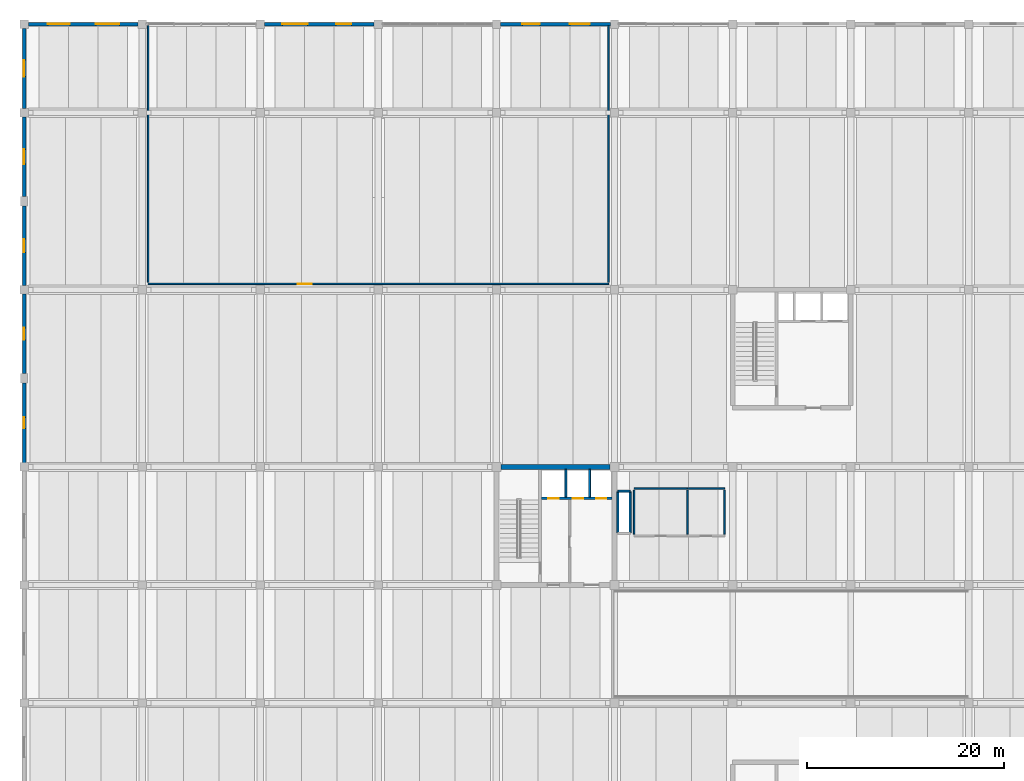
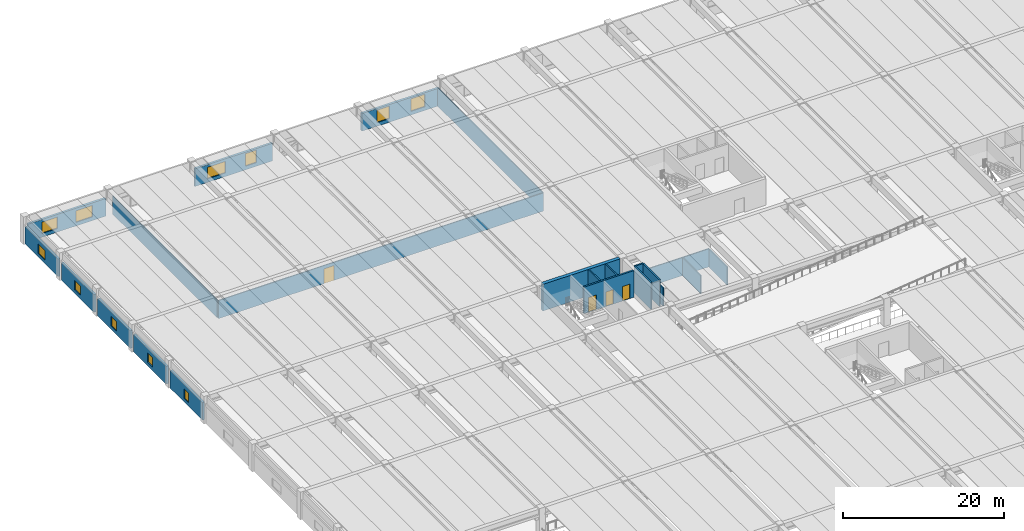
# One storey, part 37 of 50: 23 walls, 11 windows, 4 doors, 15 openings.
"""IFC4 building model written with IfcOpenShell, lengths in metres."""

from ifc_helpers import new_model, si_unit, direction, frame, frame_2d, origin, place, context, subcontext, project, spatial, rectangle, extrude, material, layer, layer_set, type_object, element, fill, save


model = new_model("IFC4")

# Units and contexts
model_context = context("Model", 3, precision=1e-05, world=origin(), true_north=direction((0.0, 1.0)))
body_context = subcontext(model_context, "Body", "Model", "MODEL_VIEW")
ifc_project = project(units=[si_unit("LENGTHUNIT", "METRE"), si_unit("AREAUNIT", "SQUARE_METRE"), si_unit("VOLUMEUNIT", "CUBIC_METRE"), si_unit("PLANEANGLEUNIT", "RADIAN"), si_unit("MASSUNIT", "GRAM", prefix="KILO")], contexts=[model_context])

# Site, building, storey
site_placement = place(None, origin())
site = spatial("IfcSite", under=ifc_project, at=site_placement, CompositionType="ELEMENT")
building_placement = place(site_placement, origin())
building = spatial("IfcBuilding", under=site, at=building_placement, Name="Girod Span Mobility Hub", CompositionType="ELEMENT")
storey_placement = place(building_placement, frame((0.0, 0.0, 5.39990234375)))
storey = spatial("IfcBuildingStorey", under=building, at=storey_placement, Name="L01", CompositionType="ELEMENT", Elevation=5.39990234375)

# Wall
ifc_material_1 = material(Name="Concrete C40/50", Category="concrete")
ifc_layer_1 = layer(ifc_material_1, 0.5)
ifc_layer_set_1 = layer_set([ifc_layer_1], Name="Concrete C40/50")
wall_type_1 = type_object("IfcWallType", Name="W-CW-500", PredefinedType="SHEAR", material=ifc_layer_set_1)
wall_1_placement = place(storey_placement, frame((48.447021484375, 69.0, 0.0), z_axis=(0.0, 0.0, 1.0), x_axis=(1.0, 0.0, 0.0)))
element("IfcWall", 1, at=wall_1_placement, inside=storey, type_object=wall_type_1, Name="Core C1 Shear Wall N L01", PredefinedType="SHEAR", context=body_context, shape_type="SweptSolid", body=[
    extrude(rectangle(XDim=11.10595703125, YDim=0.5, at=frame_2d((5.552978515625, 0.0))), origin(), (0.0, 0.0, 1.0), 4.043212890625),
])

# Wall, openings, windows
ifc_material_2 = material(Name="Precast Architectural Concrete C40/50", Category="concrete")
ifc_layer_2 = layer(ifc_material_2, 0.320068359375)
ifc_layer_set_2 = layer_set([ifc_layer_2], Name="Precast Architectural Concrete C40/50")
wall_type_2 = type_object("IfcWallType", Name="W-EXT-320", PredefinedType="SOLIDWALL", material=ifc_layer_set_2)
wall_2_placement = place(storey_placement, frame((0.423095703125, 114.0, 0.0), z_axis=(0.0, 0.0, 1.0), x_axis=(1.0, 0.0, 0.0)))
wall_2 = element("IfcWall", 2, at=wall_2_placement, inside=storey, type_object=wall_type_2, Name="Exterior Insulated Precast Wall N-1 L01", PredefinedType="SOLIDWALL", context=body_context, shape_type="SweptSolid", body=[
    extrude(rectangle(XDim=11.15380859375, YDim=0.320068359375, at=frame_2d((5.576904296875, 0.0))), origin(), (0.0, 0.0, 1.0), 2.690185546875),
])
opening_1_placement = place(wall_2_placement, frame((1.989990234375, 0.0, 0.550048828125)))
opening_1 = element("IfcOpeningElement", 3, at=opening_1_placement, cuts=wall_2, Name="Opening W-L01-N00A", PredefinedType="OPENING", context=body_context, shape_type="SweptSolid", body=[
    extrude(rectangle(XDim=2.219970703125, YDim=1.739990234375, at=frame_2d((1.10986328125, 0.8701171875))), frame((0.0, 0.175048828125, 0.0), z_axis=(0.0, -1.0, 0.0), x_axis=(1.0, 0.0, 0.0)), (0.0, 0.0, 1.0), 0.35009765625),
])
opening_2_placement = place(wall_2_placement, frame((6.85400390625, 0.0, 0.550048828125)))
opening_2 = element("IfcOpeningElement", 4, at=opening_2_placement, cuts=wall_2, Name="Opening W-L01-N00B", PredefinedType="OPENING", context=body_context, shape_type="SweptSolid", body=[
    extrude(rectangle(XDim=2.39990234375, YDim=1.739990234375, at=frame_2d((1.199951171875, 0.8701171875))), frame((0.0, 0.175048828125, 0.0), z_axis=(0.0, -1.0, 0.0), x_axis=(1.0, 0.0, 0.0)), (0.0, 0.0, 1.0), 0.35009765625),
])
ifc_material_3 = material(Name="Double Low-E Insulated Glazing", Category="glass")
window_type_1 = type_object("IfcWindowType", Name="WN-36", PartitioningType="DOUBLE_PANEL_VERTICAL", PredefinedType="WINDOW", material=ifc_material_3)
window_1_placement = place(opening_1_placement, origin())
window_1 = element("IfcWindow", 5, at=window_1_placement, inside=storey, type_object=window_type_1, Name="Gallery Window WN-36", OverallHeight=1.739990234375, OverallWidth=2.219970703125, PartitioningType="DOUBLE_PANEL_VERTICAL", PredefinedType="WINDOW", context=body_context, shape_type="SweptSolid", body=[
    extrude(rectangle(XDim=2.219970703125, YDim=1.739990234375, at=frame_2d((1.10986328125, 0.8701171875))), frame((0.0, 0.030029296875, 0.0), z_axis=(0.0, -1.0, 0.0), x_axis=(1.0, 0.0, 0.0)), (0.0, 0.0, 1.0), 0.06005859375),
])
fill(opening_1, window_1)
ifc_material_4 = material(Name="Double Low-E Insulated Glazing", Category="glass")
window_type_2 = type_object("IfcWindowType", Name="WN-37", PartitioningType="DOUBLE_PANEL_VERTICAL", PredefinedType="WINDOW", material=ifc_material_4)
window_2_placement = place(opening_2_placement, origin())
window_2 = element("IfcWindow", 6, at=window_2_placement, inside=storey, type_object=window_type_2, Name="Gallery Window WN-37", OverallHeight=1.739990234375, OverallWidth=2.39990234375, PartitioningType="DOUBLE_PANEL_VERTICAL", PredefinedType="WINDOW", context=body_context, shape_type="SweptSolid", body=[
    extrude(rectangle(XDim=2.39990234375, YDim=1.739990234375, at=frame_2d((1.199951171875, 0.8701171875))), frame((0.0, 0.030029296875, 0.0), z_axis=(0.0, -1.0, 0.0), x_axis=(1.0, 0.0, 0.0)), (0.0, 0.0, 1.0), 0.06005859375),
])
fill(opening_2, window_2)

wall_3_placement = place(storey_placement, frame((24.423095703125, 114.0, 0.0), z_axis=(0.0, 0.0, 1.0), x_axis=(1.0, 0.0, 0.0)))
wall_3 = element("IfcWall", 7, at=wall_3_placement, inside=storey, type_object=wall_type_2, Name="Exterior Insulated Precast Wall N-3 L01", PredefinedType="SOLIDWALL", context=body_context, shape_type="SweptSolid", body=[
    extrude(rectangle(XDim=11.15380859375, YDim=0.320068359375, at=frame_2d((5.576904296875, 0.0))), origin(), (0.0, 0.0, 1.0), 2.690185546875),
])
opening_3_placement = place(wall_3_placement, frame((1.81005859375, 0.0, 0.550048828125)))
opening_3 = element("IfcOpeningElement", 8, at=opening_3_placement, cuts=wall_3, Name="Opening W-L01-N02A", PredefinedType="OPENING", context=body_context, shape_type="SweptSolid", body=[
    extrude(rectangle(XDim=2.580078125, YDim=1.739990234375, at=frame_2d((1.2900390625, 0.8701171875))), frame((0.0, 0.175048828125, 0.0), z_axis=(0.0, -1.0, 0.0), x_axis=(1.0, 0.0, 0.0)), (0.0, 0.0, 1.0), 0.35009765625),
])
opening_4_placement = place(wall_3_placement, frame((7.27392578125, 0.0, 0.550048828125)))
opening_4 = element("IfcOpeningElement", 9, at=opening_4_placement, cuts=wall_3, Name="Opening W-L01-N02B", PredefinedType="OPENING", context=body_context, shape_type="SweptSolid", body=[
    extrude(rectangle(XDim=1.56005859375, YDim=1.89990234375, at=frame_2d((0.780029296875, 0.949951171875))), frame((0.0, 0.175048828125, 0.0), z_axis=(0.0, -1.0, 0.0), x_axis=(1.0, 0.0, 0.0)), (0.0, 0.0, 1.0), 0.35009765625),
])
ifc_material_5 = material(Name="Double Low-E Insulated Glazing", Category="glass")
window_type_3 = type_object("IfcWindowType", Name="WN-38", PartitioningType="DOUBLE_PANEL_VERTICAL", PredefinedType="WINDOW", material=ifc_material_5)
window_3_placement = place(opening_3_placement, origin())
window_3 = element("IfcWindow", 10, at=window_3_placement, inside=storey, type_object=window_type_3, Name="Gallery Window WN-38", OverallHeight=1.739990234375, OverallWidth=2.580078125, PartitioningType="DOUBLE_PANEL_VERTICAL", PredefinedType="WINDOW", context=body_context, shape_type="SweptSolid", body=[
    extrude(rectangle(XDim=2.580078125, YDim=1.739990234375, at=frame_2d((1.2900390625, 0.8701171875))), frame((0.0, 0.030029296875, 0.0), z_axis=(0.0, -1.0, 0.0), x_axis=(1.0, 0.0, 0.0)), (0.0, 0.0, 1.0), 0.06005859375),
])
fill(opening_3, window_3)
ifc_material_6 = material(Name="Double Low-E Insulated Glazing", Category="glass")
window_type_4 = type_object("IfcWindowType", Name="WN-39", PartitioningType="SINGLE_PANEL", PredefinedType="WINDOW", material=ifc_material_6)
window_4_placement = place(opening_4_placement, origin())
window_4 = element("IfcWindow", 11, at=window_4_placement, inside=storey, type_object=window_type_4, Name="Gallery Window WN-39", OverallHeight=1.89990234375, OverallWidth=1.56005859375, PartitioningType="SINGLE_PANEL", PredefinedType="WINDOW", context=body_context, shape_type="SweptSolid", body=[
    extrude(rectangle(XDim=1.56005859375, YDim=1.89990234375, at=frame_2d((0.780029296875, 0.949951171875))), frame((0.0, 0.030029296875, 0.0), z_axis=(0.0, -1.0, 0.0), x_axis=(1.0, 0.0, 0.0)), (0.0, 0.0, 1.0), 0.06005859375),
])
fill(opening_4, window_4)

wall_4_placement = place(storey_placement, frame((48.423095703125, 114.0, 0.0), z_axis=(0.0, 0.0, 1.0), x_axis=(1.0, 0.0, 0.0)))
wall_4 = element("IfcWall", 12, at=wall_4_placement, inside=storey, type_object=wall_type_2, Name="Exterior Insulated Precast Wall N-5 L01", PredefinedType="SOLIDWALL", context=body_context, shape_type="SweptSolid", body=[
    extrude(rectangle(XDim=11.15380859375, YDim=0.320068359375, at=frame_2d((5.576904296875, 0.0))), origin(), (0.0, 0.0, 1.0), 2.690185546875),
])
opening_5_placement = place(wall_4_placement, frame((2.2099609375, 0.0, 0.550048828125)))
opening_5 = element("IfcOpeningElement", 13, at=opening_5_placement, cuts=wall_4, Name="Opening W-L01-N04A", PredefinedType="OPENING", context=body_context, shape_type="SweptSolid", body=[
    extrude(rectangle(XDim=1.780029296875, YDim=1.89990234375, at=frame_2d((0.89013671875, 0.949951171875))), frame((0.0, 0.175048828125, 0.0), z_axis=(0.0, -1.0, 0.0), x_axis=(1.0, 0.0, 0.0)), (0.0, 0.0, 1.0), 0.35009765625),
])
opening_6_placement = place(wall_4_placement, frame((7.0439453125, 0.0, 0.550048828125)))
opening_6 = element("IfcOpeningElement", 14, at=opening_6_placement, cuts=wall_4, Name="Opening W-L01-N04B", PredefinedType="OPENING", context=body_context, shape_type="SweptSolid", body=[
    extrude(rectangle(XDim=2.02001953125, YDim=1.89990234375, at=frame_2d((1.010009765625, 0.949951171875))), frame((0.0, 0.175048828125, 0.0), z_axis=(0.0, -1.0, 0.0), x_axis=(1.0, 0.0, 0.0)), (0.0, 0.0, 1.0), 0.35009765625),
])
ifc_material_7 = material(Name="Double Low-E Insulated Glazing", Category="glass")
window_type_5 = type_object("IfcWindowType", Name="WN-40", PartitioningType="SINGLE_PANEL", PredefinedType="WINDOW", material=ifc_material_7)
window_5_placement = place(opening_5_placement, origin())
window_5 = element("IfcWindow", 15, at=window_5_placement, inside=storey, type_object=window_type_5, Name="Gallery Window WN-40", OverallHeight=1.89990234375, OverallWidth=1.780029296875, PartitioningType="SINGLE_PANEL", PredefinedType="WINDOW", context=body_context, shape_type="SweptSolid", body=[
    extrude(rectangle(XDim=1.780029296875, YDim=1.89990234375, at=frame_2d((0.89013671875, 0.949951171875))), frame((0.0, 0.030029296875, 0.0), z_axis=(0.0, -1.0, 0.0), x_axis=(1.0, 0.0, 0.0)), (0.0, 0.0, 1.0), 0.06005859375),
])
fill(opening_5, window_5)
ifc_material_8 = material(Name="Double Low-E Insulated Glazing", Category="glass")
window_type_6 = type_object("IfcWindowType", Name="WN-41", PartitioningType="DOUBLE_PANEL_VERTICAL", PredefinedType="WINDOW", material=ifc_material_8)
window_6_placement = place(opening_6_placement, origin())
window_6 = element("IfcWindow", 16, at=window_6_placement, inside=storey, type_object=window_type_6, Name="Gallery Window WN-41", OverallHeight=1.89990234375, OverallWidth=2.02001953125, PartitioningType="DOUBLE_PANEL_VERTICAL", PredefinedType="WINDOW", context=body_context, shape_type="SweptSolid", body=[
    extrude(rectangle(XDim=2.02001953125, YDim=1.89990234375, at=frame_2d((1.010009765625, 0.949951171875))), frame((0.0, 0.030029296875, 0.0), z_axis=(0.0, -1.0, 0.0), x_axis=(1.0, 0.0, 0.0)), (0.0, 0.0, 1.0), 0.06005859375),
])
fill(opening_6, window_6)

# Wall, opening, window
wall_5_placement = place(storey_placement, frame((0.0, 69.423095703125, 0.0), z_axis=(0.0, 0.0, 1.0), x_axis=(0.0, 1.0, 0.0)))
wall_5 = element("IfcWall", 17, at=wall_5_placement, inside=storey, type_object=wall_type_2, Name="Side Exterior Wall W-F-1 L01", PredefinedType="SOLIDWALL", context=body_context, shape_type="SweptSolid", body=[
    extrude(rectangle(XDim=8.10400390625, YDim=0.320068359375, at=frame_2d((4.052001953125, 0.0))), origin(), (0.0, 0.0, 1.0), 2.690185546875),
])
opening_7_placement = place(wall_5_placement, frame((3.501953125, 0.0, 0.550048828125)))
opening_7 = element("IfcOpeningElement", 18, at=opening_7_placement, cuts=wall_5, Name="Opening W-L01-W51", PredefinedType="OPENING", context=body_context, shape_type="SweptSolid", body=[
    extrude(rectangle(XDim=1.10009765625, YDim=1.419921875, at=frame_2d((0.550048828125, 0.7099609375))), frame((0.0, 0.175048828125, 0.0), z_axis=(0.0, -1.0, 0.0), x_axis=(1.0, 0.0, 0.0)), (0.0, 0.0, 1.0), 0.35009765625),
])
ifc_material_9 = material(Name="Double Low-E Insulated Glazing", Category="glass")
window_type_7 = type_object("IfcWindowType", Name="WN-11", PartitioningType="SINGLE_PANEL", PredefinedType="WINDOW", material=ifc_material_9)
window_7_placement = place(opening_7_placement, origin())
window_7 = element("IfcWindow", 19, at=window_7_placement, inside=storey, type_object=window_type_7, Name="Side Facade Window WN-11", OverallHeight=1.419921875, OverallWidth=1.10009765625, PartitioningType="SINGLE_PANEL", PredefinedType="WINDOW", context=body_context, shape_type="SweptSolid", body=[
    extrude(rectangle(XDim=1.10009765625, YDim=1.419921875, at=frame_2d((0.550048828125, 0.7099609375))), frame((0.0, 0.030029296875, 0.0), z_axis=(0.0, -1.0, 0.0), x_axis=(1.0, 0.0, 0.0)), (0.0, 0.0, 1.0), 0.06005859375),
])
fill(opening_7, window_7)

wall_6_placement = place(storey_placement, frame((0.0, 78.472900390625, 0.0), z_axis=(0.0, 0.0, 1.0), x_axis=(0.0, 1.0, 0.0)))
wall_6 = element("IfcWall", 20, at=wall_6_placement, inside=storey, type_object=wall_type_2, Name="Side Exterior Wall W-F-2 L01", PredefinedType="SOLIDWALL", context=body_context, shape_type="SweptSolid", body=[
    extrude(rectangle(XDim=8.10400390625, YDim=0.320068359375, at=frame_2d((4.052001953125, 0.0))), origin(), (0.0, 0.0, 1.0), 2.690185546875),
])
opening_8_placement = place(wall_6_placement, frame((3.44189453125, 0.0, 0.550048828125)))
opening_8 = element("IfcOpeningElement", 21, at=opening_8_placement, cuts=wall_6, Name="Opening W-L01-W52", PredefinedType="OPENING", context=body_context, shape_type="SweptSolid", body=[
    extrude(rectangle(XDim=1.219970703125, YDim=1.419921875, at=frame_2d((0.60986328125, 0.7099609375))), frame((0.0, 0.175048828125, 0.0), z_axis=(0.0, -1.0, 0.0), x_axis=(1.0, 0.0, 0.0)), (0.0, 0.0, 1.0), 0.35009765625),
])
ifc_material_10 = material(Name="Double Low-E Insulated Glazing", Category="glass")
window_type_8 = type_object("IfcWindowType", Name="WN-12", PartitioningType="SINGLE_PANEL", PredefinedType="WINDOW", material=ifc_material_10)
window_8_placement = place(opening_8_placement, origin())
window_8 = element("IfcWindow", 22, at=window_8_placement, inside=storey, type_object=window_type_8, Name="Side Facade Window WN-12", OverallHeight=1.419921875, OverallWidth=1.219970703125, PartitioningType="SINGLE_PANEL", PredefinedType="WINDOW", context=body_context, shape_type="SweptSolid", body=[
    extrude(rectangle(XDim=1.219970703125, YDim=1.419921875, at=frame_2d((0.60986328125, 0.7099609375))), frame((0.0, 0.030029296875, 0.0), z_axis=(0.0, -1.0, 0.0), x_axis=(1.0, 0.0, 0.0)), (0.0, 0.0, 1.0), 0.06005859375),
])
fill(opening_8, window_8)

wall_7_placement = place(storey_placement, frame((0.0, 87.423095703125, 0.0), z_axis=(0.0, 0.0, 1.0), x_axis=(0.0, 1.0, 0.0)))
wall_7 = element("IfcWall", 23, at=wall_7_placement, inside=storey, type_object=wall_type_2, Name="Side Exterior Wall W-G-1 L01", PredefinedType="SOLIDWALL", context=body_context, shape_type="SweptSolid", body=[
    extrude(rectangle(XDim=8.10400390625, YDim=0.320068359375, at=frame_2d((4.052001953125, 0.0))), origin(), (0.0, 0.0, 1.0), 2.690185546875),
])
opening_9_placement = place(wall_7_placement, frame((3.3720703125, 0.0, 0.550048828125)))
opening_9 = element("IfcOpeningElement", 24, at=opening_9_placement, cuts=wall_7, Name="Opening W-L01-W61", PredefinedType="OPENING", context=body_context, shape_type="SweptSolid", body=[
    extrude(rectangle(XDim=1.360107421875, YDim=1.419921875, at=frame_2d((0.68017578125, 0.7099609375))), frame((0.0, 0.175048828125, 0.0), z_axis=(0.0, -1.0, 0.0), x_axis=(1.0, 0.0, 0.0)), (0.0, 0.0, 1.0), 0.35009765625),
])
ifc_material_11 = material(Name="Double Low-E Insulated Glazing", Category="glass")
window_type_9 = type_object("IfcWindowType", Name="WN-13", PartitioningType="SINGLE_PANEL", PredefinedType="WINDOW", material=ifc_material_11)
window_9_placement = place(opening_9_placement, origin())
window_9 = element("IfcWindow", 25, at=window_9_placement, inside=storey, type_object=window_type_9, Name="Side Facade Window WN-13", OverallHeight=1.419921875, OverallWidth=1.360107421875, PartitioningType="SINGLE_PANEL", PredefinedType="WINDOW", context=body_context, shape_type="SweptSolid", body=[
    extrude(rectangle(XDim=1.360107421875, YDim=1.419921875, at=frame_2d((0.68017578125, 0.7099609375))), frame((0.0, 0.030029296875, 0.0), z_axis=(0.0, -1.0, 0.0), x_axis=(1.0, 0.0, 0.0)), (0.0, 0.0, 1.0), 0.06005859375),
])
fill(opening_9, window_9)

wall_8_placement = place(storey_placement, frame((0.0, 96.472900390625, 0.0), z_axis=(0.0, 0.0, 1.0), x_axis=(0.0, 1.0, 0.0)))
wall_8 = element("IfcWall", 26, at=wall_8_placement, inside=storey, type_object=wall_type_2, Name="Side Exterior Wall W-G-2 L01", PredefinedType="SOLIDWALL", context=body_context, shape_type="SweptSolid", body=[
    extrude(rectangle(XDim=8.10400390625, YDim=0.320068359375, at=frame_2d((4.052001953125, 0.0))), origin(), (0.0, 0.0, 1.0), 2.690185546875),
])
opening_10_placement = place(wall_8_placement, frame((3.2919921875, 0.0, 0.550048828125)))
opening_10 = element("IfcOpeningElement", 27, at=opening_10_placement, cuts=wall_8, Name="Opening W-L01-W62", PredefinedType="OPENING", context=body_context, shape_type="SweptSolid", body=[
    extrude(rectangle(XDim=1.52001953125, YDim=1.419921875, at=frame_2d((0.760009765625, 0.7099609375))), frame((0.0, 0.175048828125, 0.0), z_axis=(0.0, -1.0, 0.0), x_axis=(1.0, 0.0, 0.0)), (0.0, 0.0, 1.0), 0.35009765625),
])
ifc_material_12 = material(Name="Double Low-E Insulated Glazing", Category="glass")
window_type_10 = type_object("IfcWindowType", Name="WN-14", PartitioningType="SINGLE_PANEL", PredefinedType="WINDOW", material=ifc_material_12)
window_10_placement = place(opening_10_placement, origin())
window_10 = element("IfcWindow", 28, at=window_10_placement, inside=storey, type_object=window_type_10, Name="Side Facade Window WN-14", OverallHeight=1.419921875, OverallWidth=1.52001953125, PartitioningType="SINGLE_PANEL", PredefinedType="WINDOW", context=body_context, shape_type="SweptSolid", body=[
    extrude(rectangle(XDim=1.52001953125, YDim=1.419921875, at=frame_2d((0.760009765625, 0.7099609375))), frame((0.0, 0.030029296875, 0.0), z_axis=(0.0, -1.0, 0.0), x_axis=(1.0, 0.0, 0.0)), (0.0, 0.0, 1.0), 0.06005859375),
])
fill(opening_10, window_10)

wall_9_placement = place(storey_placement, frame((0.0, 105.423095703125, 0.0), z_axis=(0.0, 0.0, 1.0), x_axis=(0.0, 1.0, 0.0)))
wall_9 = element("IfcWall", 29, at=wall_9_placement, inside=storey, type_object=wall_type_2, Name="Side Exterior Wall W-H-1 L01", PredefinedType="SOLIDWALL", context=body_context, shape_type="SweptSolid", body=[
    extrude(rectangle(XDim=8.15380859375, YDim=0.320068359375, at=frame_2d((4.076904296875, 0.0))), origin(), (0.0, 0.0, 1.0), 2.690185546875),
])
opening_11_placement = place(wall_9_placement, frame((3.237060546875, 0.0, 0.550048828125)))
opening_11 = element("IfcOpeningElement", 30, at=opening_11_placement, cuts=wall_9, Name="Opening W-L01-W71", PredefinedType="OPENING", context=body_context, shape_type="SweptSolid", body=[
    extrude(rectangle(XDim=1.679931640625, YDim=1.419921875, at=frame_2d((0.83984375, 0.7099609375))), frame((0.0, 0.175048828125, 0.0), z_axis=(0.0, -1.0, 0.0), x_axis=(1.0, 0.0, 0.0)), (0.0, 0.0, 1.0), 0.35009765625),
])
ifc_material_13 = material(Name="Double Low-E Insulated Glazing", Category="glass")
window_type_11 = type_object("IfcWindowType", Name="WN-15", PartitioningType="SINGLE_PANEL", PredefinedType="WINDOW", material=ifc_material_13)
window_11_placement = place(opening_11_placement, origin())
window_11 = element("IfcWindow", 31, at=window_11_placement, inside=storey, type_object=window_type_11, Name="Side Facade Window WN-15", OverallHeight=1.419921875, OverallWidth=1.679931640625, PartitioningType="SINGLE_PANEL", PredefinedType="WINDOW", context=body_context, shape_type="SweptSolid", body=[
    extrude(rectangle(XDim=1.679931640625, YDim=1.419921875, at=frame_2d((0.83984375, 0.7099609375))), frame((0.0, 0.030029296875, 0.0), z_axis=(0.0, -1.0, 0.0), x_axis=(1.0, 0.0, 0.0)), (0.0, 0.0, 1.0), 0.06005859375),
])
fill(opening_11, window_11)

# Walls
ifc_material_14 = material(Name="Fire-Rated Gypsum Board on Metal Studs", Category="gypsum")
ifc_layer_3 = layer(ifc_material_14, 0.155029296875)
ifc_layer_set_3 = layer_set([ifc_layer_3], Name="Fire-Rated Gypsum Board on Metal Studs")
wall_type_3 = type_object("IfcWallType", Name="W-PLB-155", PredefinedType="PLUMBINGWALL", material=ifc_layer_set_3)
wall_10_placement = place(storey_placement, frame((62.0, 66.800048828125, 0.0), z_axis=(0.0, 0.0, 1.0), x_axis=(1.0, 0.0, 0.0)))
element("IfcWall", 32, at=wall_10_placement, inside=storey, type_object=wall_type_3, Name="Restroom L01 Partition N", PredefinedType="PLUMBINGWALL", context=body_context, shape_type="SweptSolid", body=[
    extrude(rectangle(XDim=5.39990234375, YDim=0.155029296875, at=frame_2d((2.699951171875, 0.0))), origin(), (0.0, 0.0, 1.0), 2.75),
])
for number, where, z_axis, x_axis, name in (
    (33, (62.0, 62.159912109375, 0.0), (0.0, 0.0, 1.0), (0.0, 1.0, 0.0), "Restroom L01 Partition W"),
    (34, (67.39990234375, 62.159912109375, 0.0), (0.0, 0.0, 1.0), (0.0, 1.0, 0.0), "Restroom L01 Partition E"),
):
    element("IfcWall", number, at=place(storey_placement, frame(where, z_axis=z_axis, x_axis=x_axis)), inside=storey, type_object=wall_type_3, Name=name, PredefinedType="PLUMBINGWALL", context=body_context, shape_type="SweptSolid", body=[
        extrude(rectangle(XDim=4.47998046875, YDim=0.155029296875, at=frame_2d((2.239990234375, 0.0))), origin(), (0.0, 0.0, 1.0), 2.75),
    ])
wall_11_placement = place(storey_placement, frame((67.39990234375, 66.800048828125, 0.0), z_axis=(0.0, 0.0, 1.0), x_axis=(1.0, 0.0, 0.0)))
element("IfcWall", 35, at=wall_11_placement, inside=storey, type_object=wall_type_3, Name="Accessible WC L01 Partition N", PredefinedType="PLUMBINGWALL", context=body_context, shape_type="SweptSolid", body=[
    extrude(rectangle(XDim=3.800048828125, YDim=0.155029296875, at=frame_2d((1.89990234375, 0.0))), origin(), (0.0, 0.0, 1.0), 2.75),
])
wall_12_placement = place(storey_placement, frame((71.199951171875, 62.159912109375, 0.0), z_axis=(0.0, 0.0, 1.0), x_axis=(0.0, 1.0, 0.0)))
element("IfcWall", 36, at=wall_12_placement, inside=storey, type_object=wall_type_3, Name="Accessible WC L01 Partition E", PredefinedType="PLUMBINGWALL", context=body_context, shape_type="SweptSolid", body=[
    extrude(rectangle(XDim=4.47998046875, YDim=0.155029296875, at=frame_2d((2.239990234375, 0.0))), origin(), (0.0, 0.0, 1.0), 2.75),
])

# Wall, opening, door
ifc_material_15 = material(Name="Fire-Rated Gypsum Board on Metal Studs", Category="gypsum")
ifc_layer_4 = layer(ifc_material_15, 0.139892578125)
ifc_layer_set_4 = layer_set([ifc_layer_4], Name="Fire-Rated Gypsum Board on Metal Studs")
wall_type_4 = type_object("IfcWallType", Name="W-PT-140", PredefinedType="PARTITIONING", material=ifc_layer_set_4)
wall_13_placement = place(storey_placement, frame((12.60009765625, 87.60009765625, 0.0), z_axis=(0.0, 0.0, 1.0), x_axis=(1.0, 0.0, 0.0)))
wall_13 = element("IfcWall", 37, at=wall_13_placement, inside=storey, type_object=wall_type_4, Name="Bicycle Store Mezzanine Partition S", PredefinedType="PARTITIONING", context=body_context, shape_type="SweptSolid", body=[
    extrude(rectangle(XDim=46.7998046875, YDim=0.139892578125, at=frame_2d((23.39990234375, 0.0))), origin(), (0.0, 0.0, 1.0), 2.75),
])
opening_12_placement = place(wall_13_placement, frame((15.19189453125, 0.0, 0.0)))
opening_12 = element("IfcOpeningElement", 38, at=opening_12_placement, cuts=wall_13, Name="Opening D-L01-BIKE-MZ", PredefinedType="OPENING", context=body_context, shape_type="SweptSolid", body=[
    extrude(rectangle(XDim=1.43994140625, YDim=2.260009765625, at=frame_2d((0.719970703125, 1.1298828125))), frame((0.0, 0.0849609375, 0.0), z_axis=(0.0, -1.0, 0.0), x_axis=(1.0, 0.0, 0.0)), (0.0, 0.0, 1.0), 0.169921875),
])
ifc_material_16 = material(Name="Solid-Core Architectural Timber", Category="wood")
door_type_1 = type_object("IfcDoorType", Name="DT-NR-12", OperationType="DOUBLE_DOOR_SINGLE_SWING", PredefinedType="DOOR", material=ifc_material_16)
door_1_placement = place(opening_12_placement, origin())
door_1 = element("IfcDoor", 39, at=door_1_placement, inside=storey, type_object=door_type_1, Name="Bicycle Store Mezzanine Door", OperationType="DOUBLE_DOOR_SINGLE_SWING", OverallHeight=2.260009765625, OverallWidth=1.43994140625, PredefinedType="DOOR", context=body_context, shape_type="SweptSolid", body=[
    extrude(rectangle(XDim=1.43994140625, YDim=2.260009765625, at=frame_2d((0.719970703125, 1.1298828125))), frame((0.0, 0.02490234375, 0.0), z_axis=(0.0, -1.0, 0.0), x_axis=(1.0, 0.0, 0.0)), (0.0, 0.0, 1.0), 0.050048828125),
])
fill(opening_12, door_1)

# Walls
for number, where, z_axis, x_axis, name in (
    (40, (12.60009765625, 87.760009765625, 0.0), (0.0, 0.0, 1.0), (0.0, 1.0, 0.0), "Bicycle Store Mezzanine Partition W"),
    (41, (59.39990234375, 87.760009765625, 0.0), (0.0, 0.0, 1.0), (0.0, 1.0, 0.0), "Bicycle Store Mezzanine Partition E"),
):
    element("IfcWall", number, at=place(storey_placement, frame(where, z_axis=z_axis, x_axis=x_axis)), inside=storey, type_object=wall_type_4, Name=name, PredefinedType="PARTITIONING", context=body_context, shape_type="SweptSolid", body=[
        extrude(rectangle(XDim=26.10009765625, YDim=0.139892578125, at=frame_2d((13.050048828125, 0.0))), origin(), (0.0, 0.0, 1.0), 2.75),
    ])
ifc_material_17 = material(Name="Concrete C40/50", Category="concrete")
ifc_layer_5 = layer(ifc_material_17, 0.199951171875)
ifc_layer_set_5 = layer_set([ifc_layer_5], Name="Concrete C40/50")
wall_type_5 = type_object("IfcWallType", Name="W-SH-200", PredefinedType="SOLIDWALL", material=ifc_layer_set_5)
wall_14_placement = place(storey_placement, frame((60.346923828125, 66.550048828125, 0.0), z_axis=(0.0, 0.0, 1.0), x_axis=(1.0, 0.0, 0.0)))
element("IfcWall", 42, at=wall_14_placement, inside=storey, type_object=wall_type_5, Name="Sanitary Wet Riser Shaft Wall N L01", PredefinedType="SOLIDWALL", context=body_context, shape_type="SweptSolid", body=[
    extrude(rectangle(XDim=1.233154296875, YDim=0.199951171875, at=frame_2d((0.61669921875, 0.0))), origin(), (0.0, 0.0, 1.0), 4.043212890625),
])
for number, where, z_axis, x_axis, name in (
    (43, (60.346923828125, 62.330078125, 0.0), (0.0, 0.0, 1.0), (0.0, 1.0, 0.0), "Sanitary Wet Riser Shaft Wall W L01"),
    (44, (61.580078125, 62.330078125, 0.0), (0.0, 0.0, 1.0), (0.0, 1.0, 0.0), "Sanitary Wet Riser Shaft Wall E L01"),
):
    element("IfcWall", number, at=place(storey_placement, frame(where, z_axis=z_axis, x_axis=x_axis)), inside=storey, type_object=wall_type_5, Name=name, PredefinedType="SOLIDWALL", context=body_context, shape_type="SweptSolid", body=[
        extrude(rectangle(XDim=4.139892578125, YDim=0.199951171875, at=frame_2d((2.06982421875, 0.0))), origin(), (0.0, 0.0, 1.0), 4.043212890625),
    ])
for number, where, z_axis, x_axis, name in (
    (45, (55.050048828125, 65.919921875, 0.0), (0.0, 0.0, 1.0), (0.0, 1.0, 0.0), "Core C1 Shaft Divider 1 L01"),
    (46, (57.47998046875, 65.919921875, 0.0), (0.0, 0.0, 1.0), (0.0, 1.0, 0.0), "Core C1 Shaft Divider 2 L01"),
):
    element("IfcWall", number, at=place(storey_placement, frame(where, z_axis=z_axis, x_axis=x_axis)), inside=storey, type_object=wall_type_5, Name=name, PredefinedType="SOLIDWALL", context=body_context, shape_type="SweptSolid", body=[
        extrude(rectangle(XDim=2.830078125, YDim=0.199951171875, at=frame_2d((1.4150390625, 0.0))), origin(), (0.0, 0.0, 1.0), 4.033203125),
    ])

# Wall, openings, doors
ifc_material_18 = material(Name="Concrete C40/50", Category="concrete")
ifc_layer_6 = layer(ifc_material_18, 0.25)
ifc_layer_set_6 = layer_set([ifc_layer_6], Name="Concrete C40/50")
wall_type_6 = type_object("IfcWallType", Name="W-SH-250", PredefinedType="SOLIDWALL", material=ifc_layer_set_6)
wall_15_placement = place(storey_placement, frame((52.596923828125, 65.800048828125, 0.0), z_axis=(0.0, 0.0, 1.0), x_axis=(1.0, 0.0, 0.0)))
wall_15 = element("IfcWall", 47, at=wall_15_placement, inside=storey, type_object=wall_type_6, Name="Core C1 Hoistway Front Wall L01", PredefinedType="SOLIDWALL", context=body_context, shape_type="SweptSolid", body=[
    extrude(rectangle(XDim=7.156005859375, YDim=0.25, at=frame_2d((3.578125, 0.0))), origin(), (0.0, 0.0, 1.0), 4.043212890625),
])
opening_13_placement = place(wall_15_placement, frame((0.653076171875, 0.0, 0.0)))
opening_13 = element("IfcOpeningElement", 48, at=opening_13_placement, cuts=wall_15, Name="Opening LD-FL-1-L01", PredefinedType="OPENING", context=body_context, shape_type="SweptSolid", body=[
    extrude(rectangle(XDim=1.10009765625, YDim=2.239990234375, at=frame_2d((0.550048828125, 1.1201171875))), frame((0.0, 0.139892578125, 0.0), z_axis=(0.0, -1.0, 0.0), x_axis=(1.0, 0.0, 0.0)), (0.0, 0.0, 1.0), 0.280029296875),
])
opening_14_placement = place(wall_15_placement, frame((3.153076171875, 0.0, 0.0)))
opening_14 = element("IfcOpeningElement", 49, at=opening_14_placement, cuts=wall_15, Name="Opening LD-LP-1-L01", PredefinedType="OPENING", context=body_context, shape_type="SweptSolid", body=[
    extrude(rectangle(XDim=1.050048828125, YDim=2.199951171875, at=frame_2d((0.52490234375, 1.10009765625))), frame((0.0, 0.139892578125, 0.0), z_axis=(0.0, -1.0, 0.0), x_axis=(1.0, 0.0, 0.0)), (0.0, 0.0, 1.0), 0.280029296875),
])
opening_15_placement = place(wall_15_placement, frame((5.528076171875, 0.0, 0.0)))
opening_15 = element("IfcOpeningElement", 50, at=opening_15_placement, cuts=wall_15, Name="Opening LD-LP-2-L01", PredefinedType="OPENING", context=body_context, shape_type="SweptSolid", body=[
    extrude(rectangle(XDim=1.050048828125, YDim=2.199951171875, at=frame_2d((0.52490234375, 1.10009765625))), frame((0.0, 0.139892578125, 0.0), z_axis=(0.0, -1.0, 0.0), x_axis=(1.0, 0.0, 0.0)), (0.0, 0.0, 1.0), 0.280029296875),
])
ifc_material_19 = material(Name="Brushed Stainless Steel Grade 304", Category="steel")
door_type_2 = type_object("IfcDoorType", Name="LD-FL-110", OperationType="SLIDING_TO_LEFT", PredefinedType="USERDEFINED", material=ifc_material_19)
door_2_placement = place(opening_13_placement, origin())
door_2 = element("IfcDoor", 51, at=door_2_placement, inside=storey, type_object=door_type_2, Name="Lift FL-1 Sliding Landing Door L01", ObjectType="LANDING DOOR", OperationType="SLIDING_TO_LEFT", OverallHeight=2.239990234375, OverallWidth=1.10009765625, PredefinedType="USERDEFINED", context=body_context, shape_type="SweptSolid", body=[
    extrude(rectangle(XDim=1.10009765625, YDim=2.239990234375, at=frame_2d((0.550048828125, 1.1201171875))), frame((0.0, 0.02490234375, 0.0), z_axis=(0.0, -1.0, 0.0), x_axis=(1.0, 0.0, 0.0)), (0.0, 0.0, 1.0), 0.050048828125),
])
fill(opening_13, door_2)
ifc_material_20 = material(Name="Brushed Stainless Steel Grade 304", Category="steel")
door_type_3 = type_object("IfcDoorType", Name="LD-LP-105", OperationType="SLIDING_TO_LEFT", PredefinedType="USERDEFINED", material=ifc_material_20)
door_3_placement = place(opening_14_placement, origin())
door_3 = element("IfcDoor", 52, at=door_3_placement, inside=storey, type_object=door_type_3, Name="Lift LP-1 Sliding Landing Door L01", ObjectType="LANDING DOOR", OperationType="SLIDING_TO_LEFT", OverallHeight=2.199951171875, OverallWidth=1.050048828125, PredefinedType="USERDEFINED", context=body_context, shape_type="SweptSolid", body=[
    extrude(rectangle(XDim=1.050048828125, YDim=2.199951171875, at=frame_2d((0.52490234375, 1.10009765625))), frame((0.0, 0.02490234375, 0.0), z_axis=(0.0, -1.0, 0.0), x_axis=(1.0, 0.0, 0.0)), (0.0, 0.0, 1.0), 0.050048828125),
])
fill(opening_14, door_3)
door_4_placement = place(opening_15_placement, origin())
door_4 = element("IfcDoor", 53, at=door_4_placement, inside=storey, type_object=door_type_3, Name="Lift LP-2 Sliding Landing Door L01", ObjectType="LANDING DOOR", OperationType="SLIDING_TO_LEFT", OverallHeight=2.199951171875, OverallWidth=1.050048828125, PredefinedType="USERDEFINED", context=body_context, shape_type="SweptSolid", body=[
    extrude(rectangle(XDim=1.050048828125, YDim=2.199951171875, at=frame_2d((0.52490234375, 1.10009765625))), frame((0.0, 0.02490234375, 0.0), z_axis=(0.0, -1.0, 0.0), x_axis=(1.0, 0.0, 0.0)), (0.0, 0.0, 1.0), 0.050048828125),
])
fill(opening_15, door_4)

save(model, "model.ifc")
